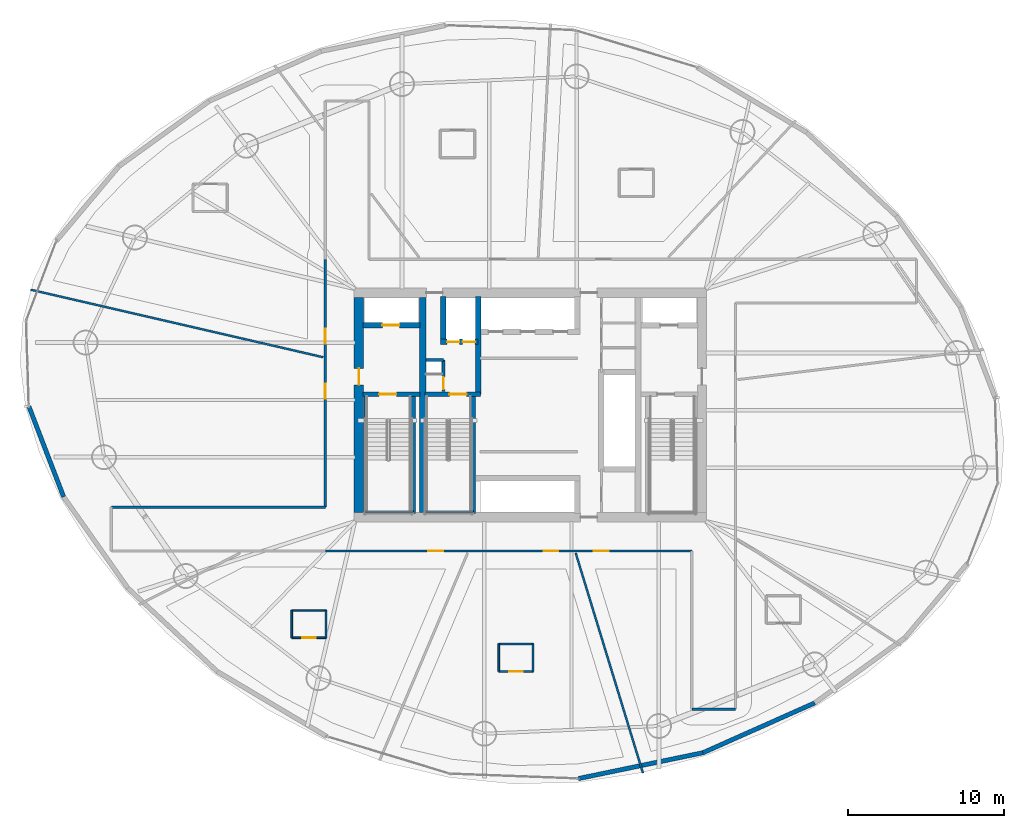
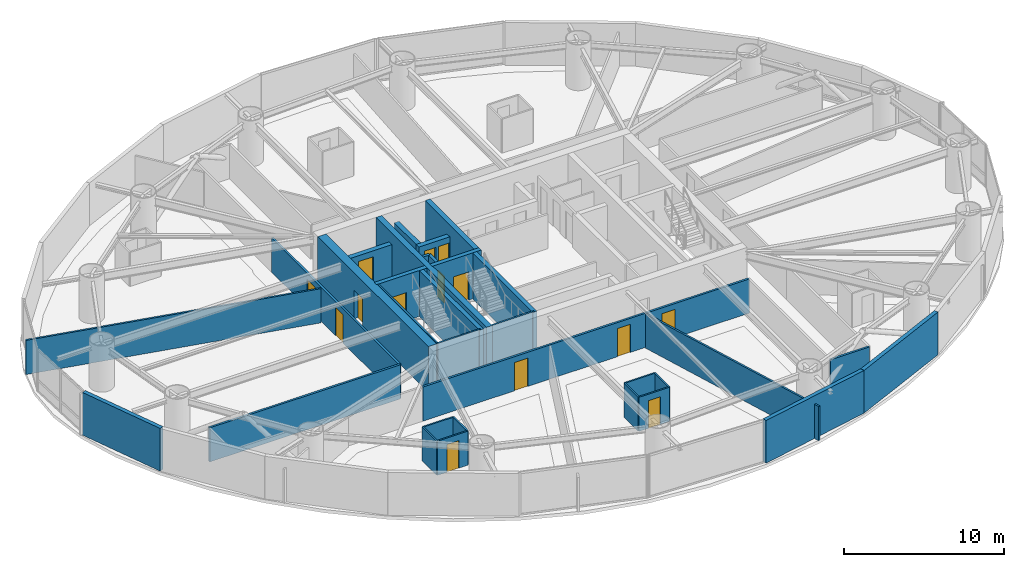
# One storey, part 21 of 27: 32 walls, 14 doors, 14 openings.
"""IFC4 building model written with IfcOpenShell, lengths in metres."""

import ifcopenshell
import ifcopenshell.guid

model = None  # the IFC model being written
_history = None  # IfcOwnerHistory: only IFC2X3 demands one
_inside = {}  # id of a spatial element -> (the spatial element, [elements in it])
_under = {}  # id of a project, library or spatial element -> (it, [spatial elements below it])
_declared = {}  # id of a project -> (the project, [libraries it declares])
_typed = {}  # id of a type object -> (the type object, [elements of that type])
_made_of = {}  # id of a material, layer set ... -> (it, [elements and type objects made of it])


def new_model(schema):
    """Start an empty IFC model of exactly this schema.

    Asked for "IFC4X3", IfcOpenShell would pick the latest addendum, in which some entities
    have other attributes; the version numbers below select the first issue.
    IFC2X3 requires an IfcOwnerHistory on every rooted entity: one is made here for all.
    """
    global model, _history
    if schema == "IFC4X3":
        model = ifcopenshell.file(schema_version=(4, 3, 0, 0))
    else:
        model = ifcopenshell.file(schema=schema)
    _inside.clear()
    _under.clear()
    _declared.clear()
    _typed.clear()
    _made_of.clear()
    _history = None
    if model.schema == "IFC2X3":
        org = make("IfcOrganization", Name="unknown")
        user = make(
            "IfcPersonAndOrganization",
            ThePerson=make("IfcPerson", FamilyName="unknown"),
            TheOrganization=org,
        )
        app = make(
            "IfcApplication",
            ApplicationDeveloper=org,
            Version="unknown",
            ApplicationFullName="unknown",
            ApplicationIdentifier="unknown",
        )
        _history = make(
            "IfcOwnerHistory",
            OwningUser=user,
            OwningApplication=app,
            ChangeAction="ADDED",
            CreationDate=0,
        )
    return model


def make(cls, **values):
    """One entity of the class cls with the attributes given. An attribute that is None is left unset."""
    return model.create_entity(
        cls, **{name: value for name, value in values.items() if value is not None}
    )


def rooted(cls, **values):
    """An entity with a GlobalId (a new one), such as an element, a storey or a relation."""
    return make(cls, GlobalId=ifcopenshell.guid.new(), OwnerHistory=_history, **values)


def si_unit(unit_type, name, prefix=None):
    """IfcSIUnit, for example si_unit("LENGTHUNIT", "METRE", prefix="MILLI")."""
    return make("IfcSIUnit", UnitType=unit_type, Prefix=prefix, Name=name)


def assignment(units):
    """IfcUnitAssignment: the units of a project."""
    return None if units is None else make("IfcUnitAssignment", Units=units)


def point(xyz):
    """IfcCartesianPoint."""
    return None if xyz is None else make("IfcCartesianPoint", Coordinates=xyz)


def direction(xyz):
    """IfcDirection."""
    return None if xyz is None else make("IfcDirection", DirectionRatios=xyz)


def frame(location, z_axis=None, x_axis=None):
    """IfcAxis2Placement3D, a coordinate frame: its origin and axes. An axis left out is left unset."""
    return make(
        "IfcAxis2Placement3D",
        Location=point(location),
        Axis=direction(z_axis),
        RefDirection=direction(x_axis),
    )


def frame_2d(location, x_axis=None):
    """IfcAxis2Placement2D, a coordinate frame in the plane: its origin and x axis."""
    return make(
        "IfcAxis2Placement2D", Location=point(location), RefDirection=direction(x_axis)
    )


def origin():
    """The frame at (0, 0, 0) with its axes left unset."""
    return frame((0.0, 0.0, 0.0))


def place(relative_to, where):
    """IfcLocalPlacement: puts the frame where relative to a parent placement (None: the world)."""
    return make(
        "IfcLocalPlacement", PlacementRelTo=relative_to, RelativePlacement=where
    )


def context(
    kind, dimensions, precision=None, world=None, true_north=None, identifier=None
):
    """IfcGeometricRepresentationContext, for example the 3D "Model" context."""
    return make(
        "IfcGeometricRepresentationContext",
        ContextIdentifier=identifier,
        ContextType=kind,
        CoordinateSpaceDimension=dimensions,
        Precision=precision,
        WorldCoordinateSystem=world,
        TrueNorth=true_north,
    )


def subcontext(parent, identifier, kind, view, scale=None):
    """IfcGeometricRepresentationSubContext, for example "Body" below "Model"."""
    return make(
        "IfcGeometricRepresentationSubContext",
        ContextIdentifier=identifier,
        ContextType=kind,
        ParentContext=parent,
        TargetScale=scale,
        TargetView=view,
    )


def project(units=None, contexts=None):
    """IfcProject with its units and contexts."""
    return rooted(
        "IfcProject",
        Name="project",
        RepresentationContexts=contexts,
        UnitsInContext=assignment(units),
    )


def spatial(cls, under=None, at=None, **own):
    """A site, building, storey or space (cls), placed at a placement, below another one or the project."""
    s = rooted(cls, ObjectPlacement=at, **own)
    if under is not None:
        _under.setdefault(under.id(), (under, []))[1].append(s)
    return s


def profile(cls, at=None, kind="AREA", **sizes):
    """A parametric profile (cls). Its sizes go by their IFC names, for example OverallWidth=200.0."""
    return make(cls, ProfileType=kind, Position=at, **sizes)


def rectangle(**sizes):
    """IfcRectangleProfileDef."""
    return profile("IfcRectangleProfileDef", **sizes)


def extrude(swept, where, along, depth):
    """IfcExtrudedAreaSolid: the profile swept, set in the frame where, extruded along a direction by depth."""
    return make(
        "IfcExtrudedAreaSolid",
        SweptArea=swept,
        Position=where,
        ExtrudedDirection=direction(along),
        Depth=depth,
    )


def shape(context_of_items, identifier, shape_type, items):
    """IfcShapeRepresentation: the items that make up one representation, for example the "Body"."""
    return make(
        "IfcShapeRepresentation",
        ContextOfItems=context_of_items,
        RepresentationIdentifier=identifier,
        RepresentationType=shape_type,
        Items=items,
    )


def material(Name=None, Category=None):
    """IfcMaterial."""
    return make("IfcMaterial", Name=Name, Category=Category)


def layer(
    of_material, thickness, ventilated=None, Name=None, Category=None, Priority=None
):
    """IfcMaterialLayer: one layer of a wall or slab, of a material (None: an air gap)."""
    return make(
        "IfcMaterialLayer",
        Material=of_material,
        LayerThickness=thickness,
        IsVentilated=ventilated,
        Name=Name,
        Category=Category,
        Priority=Priority,
    )


def layer_set(layers, Name=None):
    """IfcMaterialLayerSet."""
    return make("IfcMaterialLayerSet", MaterialLayers=layers, LayerSetName=Name)


def made_of(thing, what):
    """Note that an element or type object is made of a material, layer set ...; save() writes the relation."""
    if what is not None:
        _made_of.setdefault(what.id(), (what, []))[1].append(thing)
    return thing


def type_object(cls, material=None, **own):
    """A type object (cls), such as IfcWallType, which elements share."""
    return made_of(rooted(cls, **own), material)


def element(
    cls,
    number,
    at=None,
    inside=None,
    cuts=None,
    type_object=None,
    material=None,
    context=None,
    identifier="Body",
    shape_type=None,
    held_by="IfcProductDefinitionShape",
    body=None,
    shapes=None,
    **own,
):
    """One element of the class cls, such as IfcWall. Its Tag is "e" and its number.

    at: its placement. inside: the storey or other place that contains it. cuts: it is an
    opening in that element (IfcRelVoidsElement). A single representation is given by context,
    identifier, shape_type and body (its items); several are given by shapes. held_by: the class
    of the entity that holds the representations. save() writes the other relations.
    """
    e = rooted(cls, Tag="e%d" % number, ObjectPlacement=at, **own)
    if body is not None:
        shapes = [shape(context, identifier, shape_type, body)]
    if shapes is not None:
        e.Representation = make(held_by, Representations=shapes)
    if inside is not None:
        _inside.setdefault(inside.id(), (inside, []))[1].append(e)
    if cuts is not None:
        rooted(
            "IfcRelVoidsElement", RelatingBuildingElement=cuts, RelatedOpeningElement=e
        )
    if type_object is not None:
        _typed.setdefault(type_object.id(), (type_object, []))[1].append(e)
    return made_of(e, material)


def fill(opening, filler):
    """IfcRelFillsElement: the door or window that sits in an opening."""
    return rooted(
        "IfcRelFillsElement",
        RelatingOpeningElement=opening,
        RelatedBuildingElement=filler,
    )


def aggregate(whole, parts):
    """IfcRelAggregates: a whole, such as a stair, and the parts it consists of."""
    return rooted("IfcRelAggregates", RelatingObject=whole, RelatedObjects=parts)


def save(model, path):
    """Write the relations noted so far, then the file.

    IfcRelAggregates (storeys below a building ...), IfcRelContainedInSpatialStructure (elements
    in a storey), IfcRelDefinesByType, IfcRelAssociatesMaterial and IfcRelDeclares: one each for
    every whole, place, type object, material and project.
    """
    for whole, parts in _under.values():
        aggregate(whole, parts)
    for where, things in _inside.values():
        rooted(
            "IfcRelContainedInSpatialStructure",
            RelatedElements=things,
            RelatingStructure=where,
        )
    for kind, things in _typed.values():
        rooted("IfcRelDefinesByType", RelatedObjects=things, RelatingType=kind)
    for what, things in _made_of.values():
        rooted("IfcRelAssociatesMaterial", RelatedObjects=things, RelatingMaterial=what)
    for by, libraries in _declared.values():
        rooted("IfcRelDeclares", RelatingContext=by, RelatedDefinitions=libraries)
    model.write(path)


model = new_model("IFC4")

# Units and contexts
model_context = context("Model", 3, precision=1e-05, world=origin(), true_north=direction((0.0, 1.0)))
body_context = subcontext(model_context, "Body", "Model", "MODEL_VIEW")
ifc_project = project(units=[si_unit("LENGTHUNIT", "METRE"), si_unit("AREAUNIT", "SQUARE_METRE"), si_unit("VOLUMEUNIT", "CUBIC_METRE"), si_unit("PLANEANGLEUNIT", "RADIAN"), si_unit("MASSUNIT", "GRAM", prefix="KILO")], contexts=[model_context])

# Site, building, storey
site_placement = place(None, origin())
site = spatial("IfcSite", under=ifc_project, at=site_placement, CompositionType="ELEMENT")
building_placement = place(site_placement, origin())
building = spatial("IfcBuilding", under=site, at=building_placement, Name="Bramvorn Convention Spire", CompositionType="ELEMENT")
storey_placement = place(building_placement, frame((0.0, 0.0, 72.89990234375)))
storey = spatial("IfcBuildingStorey", under=building, at=storey_placement, Name="L16", CompositionType="ELEMENT", Elevation=72.89990234375)

# Wall, opening, door
ifc_material_1 = material(Name="Concrete C60/70", Category="concrete")
ifc_layer_1 = layer(ifc_material_1, 0.60009765625)
ifc_layer_set_1 = layer_set([ifc_layer_1], Name="Concrete C60/70 - WL-CORE-600")
wall_type_1 = type_object("IfcWallType", Name="WL-CORE-600", PredefinedType="SHEAR", material=ifc_layer_set_1)
wall_1_placement = place(storey_placement, frame((27.0, 19.10009765625, 0.0), z_axis=(0.0, 0.0, 1.0), x_axis=(0.0, 1.0, 0.0)))
wall_1 = element("IfcWall", 1, at=wall_1_placement, inside=storey, type_object=wall_type_1, Name="L16 West RC core shear wall", PredefinedType="SHEAR", context=body_context, shape_type="SweptSolid", body=[
    extrude(rectangle(XDim=13.7998046875, YDim=0.60009765625, at=frame_2d((6.89990234375, 0.0))), origin(), (0.0, 0.0, 1.0), 3.5),
])
opening_1_placement = place(wall_1_placement, frame((8.199951171875, 0.0, 0.0)))
opening_1 = element("IfcOpeningElement", 2, at=opening_1_placement, cuts=wall_1, Name="Opening DL-105", PredefinedType="OPENING", context=body_context, shape_type="SweptSolid", body=[
    extrude(rectangle(XDim=1.050048828125, YDim=2.14990234375, at=frame_2d((0.52490234375, 1.074951171875))), frame((0.0, 0.31005859375, 0.0), z_axis=(0.0, -1.0, 0.0), x_axis=(1.0, 0.0, 0.0)), (0.0, 0.0, 1.0), 0.6201171875),
])
ifc_material_2 = material(Name="Smoke-Sealed Fire Lobby Timber-Core Door", Category="wood")
door_type_1 = type_object("IfcDoorType", Name="DR-LOBBY-1050", OperationType="NOTDEFINED", PredefinedType="DOOR", material=ifc_material_2)
door_1_placement = place(opening_1_placement, origin())
door_1 = element("IfcDoor", 3, at=door_1_placement, inside=storey, type_object=door_type_1, Name="L16 West Firefighting Lobby corridor door", OperationType="SINGLE_SWING_RIGHT", OverallHeight=2.14990234375, OverallWidth=1.050048828125, PredefinedType="DOOR", context=body_context, shape_type="SweptSolid", body=[
    extrude(rectangle(XDim=1.050048828125, YDim=2.14990234375, at=frame_2d((0.52490234375, 1.074951171875))), frame((0.0, 0.02490234375, 0.0), z_axis=(0.0, -1.0, 0.0), x_axis=(1.0, 0.0, 0.0)), (0.0, 0.0, 1.0), 0.050048828125),
])
fill(opening_1, door_1)

ifc_material_3 = material(Name="Concrete C50/60", Category="concrete")
ifc_layer_2 = layer(ifc_material_3, 0.35009765625)
ifc_layer_set_2 = layer_set([ifc_layer_2], Name="Concrete C50/60 - WL-CORE-INT-350")
wall_type_2 = type_object("IfcWallType", Name="WL-CORE-INT-350", PredefinedType="SHEAR", material=ifc_layer_set_2)
wall_2_placement = place(storey_placement, frame((27.25, 31.1201171875, 0.0), z_axis=(0.0, 0.0, 1.0), x_axis=(1.0, 0.0, 0.0)))
wall_2 = element("IfcWall", 4, at=wall_2_placement, inside=storey, type_object=wall_type_2, Name="L16 FE1 shaft front wall", PredefinedType="SHEAR", context=body_context, shape_type="SweptSolid", body=[
    extrude(rectangle(XDim=3.669921875, YDim=0.35009765625, at=frame_2d((1.8349609375, 0.0))), origin(), (0.0, 0.0, 1.0), 2.60009765625),
])
opening_2_placement = place(wall_2_placement, frame((1.25, 0.0, 0.0)))
opening_2 = element("IfcOpeningElement", 5, at=opening_2_placement, cuts=wall_2, Name="Opening LD-110", PredefinedType="OPENING", context=body_context, shape_type="SweptSolid", body=[
    extrude(rectangle(XDim=1.10009765625, YDim=2.14990234375, at=frame_2d((0.550048828125, 1.074951171875))), frame((0.0, 0.18505859375, 0.0), z_axis=(0.0, -1.0, 0.0), x_axis=(1.0, 0.0, 0.0)), (0.0, 0.0, 1.0), 0.3701171875),
])
ifc_material_4 = material(Name="Firefighting & Service Lift Sliding Landing Door", Category="steel")
door_type_2 = type_object("IfcDoorType", Name="DR-LIFT-LD-1100", OperationType="NOTDEFINED", PredefinedType="DOOR", material=ifc_material_4)
door_2_placement = place(opening_2_placement, origin())
door_2 = element("IfcDoor", 6, at=door_2_placement, inside=storey, type_object=door_type_2, Name="L16 Lift FE1 Sliding Landing Door", OperationType="SLIDING_TO_LEFT", OverallHeight=2.14990234375, OverallWidth=1.10009765625, PredefinedType="DOOR", context=body_context, shape_type="SweptSolid", body=[
    extrude(rectangle(XDim=1.10009765625, YDim=2.14990234375, at=frame_2d((0.550048828125, 1.074951171875))), frame((0.0, 0.02490234375, 0.0), z_axis=(0.0, -1.0, 0.0), x_axis=(1.0, 0.0, 0.0)), (0.0, 0.0, 1.0), 0.050048828125),
])
fill(opening_2, door_2)

# Wall
wall_3_placement = place(storey_placement, frame((34.639892578125, 26.68994140625, 0.0), z_axis=(0.0, 0.0, 1.0), x_axis=(0.0, 1.0, 0.0)))
element("IfcWall", 7, at=wall_3_placement, inside=storey, type_object=wall_type_2, Name="L16 SV east core shaft wall", PredefinedType="SHEAR", context=body_context, shape_type="SweptSolid", body=[
    extrude(rectangle(XDim=6.260009765625, YDim=0.35009765625, at=frame_2d((3.1298828125, 0.0))), origin(), (0.0, 0.0, 1.0), 3.5),
])

# Wall, openings, doors
wall_4_placement = place(storey_placement, frame((32.22998046875, 30.050048828125, 0.0), z_axis=(0.0, 0.0, 1.0), x_axis=(1.0, 0.0, 0.0)))
wall_4 = element("IfcWall", 8, at=wall_4_placement, inside=storey, type_object=wall_type_2, Name="L16 SV1/SV2 shaft front wall", PredefinedType="SHEAR", context=body_context, shape_type="SweptSolid", body=[
    extrude(rectangle(XDim=2.409912109375, YDim=0.35009765625, at=frame_2d((1.205078125, 0.0))), origin(), (0.0, 0.0, 1.0), 2.60009765625),
])
opening_3_placement = place(wall_4_placement, frame((0.419921875, 0.0, 0.0)))
opening_3 = element("IfcOpeningElement", 9, at=opening_3_placement, cuts=wall_4, Name="Opening LD-080", PredefinedType="OPENING", context=body_context, shape_type="SweptSolid", body=[
    extrude(rectangle(XDim=0.800048828125, YDim=2.14990234375, at=frame_2d((0.39990234375, 1.074951171875))), frame((0.0, 0.18505859375, 0.0), z_axis=(0.0, -1.0, 0.0), x_axis=(1.0, 0.0, 0.0)), (0.0, 0.0, 1.0), 0.3701171875),
])
opening_4_placement = place(wall_4_placement, frame((1.419921875, 0.0, 0.0)))
opening_4 = element("IfcOpeningElement", 10, at=opening_4_placement, cuts=wall_4, Name="Opening LD-080", PredefinedType="OPENING", context=body_context, shape_type="SweptSolid", body=[
    extrude(rectangle(XDim=0.800048828125, YDim=2.14990234375, at=frame_2d((0.39990234375, 1.074951171875))), frame((0.0, 0.18505859375, 0.0), z_axis=(0.0, -1.0, 0.0), x_axis=(1.0, 0.0, 0.0)), (0.0, 0.0, 1.0), 0.3701171875),
])
ifc_material_5 = material(Name="Service Lift Bi-Parting Landing Door", Category="steel")
door_type_3 = type_object("IfcDoorType", Name="DR-LIFT-LD-800", OperationType="NOTDEFINED", PredefinedType="DOOR", material=ifc_material_5)
door_3_placement = place(opening_3_placement, origin())
door_3 = element("IfcDoor", 11, at=door_3_placement, inside=storey, type_object=door_type_3, Name="L16 Lift SV1 Sliding Landing Door", OperationType="SLIDING_TO_LEFT", OverallHeight=2.14990234375, OverallWidth=0.800048828125, PredefinedType="DOOR", context=body_context, shape_type="SweptSolid", body=[
    extrude(rectangle(XDim=0.800048828125, YDim=2.14990234375, at=frame_2d((0.39990234375, 1.074951171875))), frame((0.0, 0.02490234375, 0.0), z_axis=(0.0, -1.0, 0.0), x_axis=(1.0, 0.0, 0.0)), (0.0, 0.0, 1.0), 0.050048828125),
])
fill(opening_3, door_3)
door_4_placement = place(opening_4_placement, origin())
door_4 = element("IfcDoor", 12, at=door_4_placement, inside=storey, type_object=door_type_3, Name="L16 Lift SV2 Sliding Landing Door", OperationType="SLIDING_TO_LEFT", OverallHeight=2.14990234375, OverallWidth=0.800048828125, PredefinedType="DOOR", context=body_context, shape_type="SweptSolid", body=[
    extrude(rectangle(XDim=0.800048828125, YDim=2.14990234375, at=frame_2d((0.39990234375, 1.074951171875))), frame((0.0, 0.02490234375, 0.0), z_axis=(0.0, -1.0, 0.0), x_axis=(1.0, 0.0, 0.0)), (0.0, 0.0, 1.0), 0.050048828125),
])
fill(opening_4, door_4)

# Walls
wall_5_placement = place(storey_placement, frame((32.39990234375, 30.219970703125, 0.0), z_axis=(0.0, 0.0, 1.0), x_axis=(0.0, 1.0, 0.0)))
element("IfcWall", 13, at=wall_5_placement, inside=storey, type_object=wall_type_2, Name="L16 SV1 west hoistway wall", PredefinedType="SHEAR", context=body_context, shape_type="SweptSolid", body=[
    extrude(rectangle(XDim=2.72998046875, YDim=0.35009765625, at=frame_2d((1.364990234375, 0.0))), origin(), (0.0, 0.0, 1.0), 2.60009765625),
])
ifc_layer_3 = layer(ifc_material_1, 0.39990234375)
ifc_layer_set_3 = layer_set([ifc_layer_3], Name="Concrete C60/70 - WL-CORE-INT-400")
wall_type_3 = type_object("IfcWallType", Name="WL-CORE-INT-400", PredefinedType="SHEAR", material=ifc_layer_set_3)
wall_6_placement = place(storey_placement, frame((31.10009765625, 19.10009765625, 0.0), z_axis=(0.0, 0.0, 1.0), x_axis=(0.0, 1.0, 0.0)))
element("IfcWall", 14, at=wall_6_placement, inside=storey, type_object=wall_type_3, Name="L16 West internal core shear web", PredefinedType="SHEAR", context=body_context, shape_type="SweptSolid", body=[
    extrude(rectangle(XDim=13.7998046875, YDim=0.39990234375, at=frame_2d((6.89990234375, 0.0))), origin(), (0.0, 0.0, 1.0), 3.5),
])
ifc_material_6 = material(Name="Precast Concrete C40/50 with Bronze Terracotta Rainscreen", Category="masonry")
ifc_layer_4 = layer(ifc_material_6, 0.300048828125)
ifc_layer_set_4 = layer_set([ifc_layer_4], Name="Precast Concrete C40/50 with Bronze Terracotta Rainscreen - WL-EXT-BRONZE-300")
wall_type_4 = type_object("IfcWallType", Name="WL-EXT-BRONZE-300", PredefinedType="SOLIDWALL", material=ifc_layer_set_4)
wall_7_placement = place(storey_placement, frame((8.0693359375, 20.116943359375, 0.0), z_axis=(0.0, 0.0, 1.0), x_axis=(-0.358705168574, 0.933450910353, 0.0)))
element("IfcWall", 15, at=wall_7_placement, inside=storey, type_object=wall_type_4, Name="L16 expressed bronze Gothic lancet pier wall 14", PredefinedType="SOLIDWALL", context=body_context, shape_type="SweptSolid", body=[
    extrude(rectangle(XDim=6.2119140625, YDim=0.280029296875, at=frame_2d((3.10595703125, 0.0))), origin(), (0.0, 0.0, 1.0), 3.25),
])
wall_8_placement = place(storey_placement, frame((49.06298828125, 3.71142578125, 0.0), z_axis=(0.0, 0.0, 1.0), x_axis=(-0.979128564845, -0.203241859626, 0.0)))
element("IfcWall", 16, at=wall_8_placement, inside=storey, type_object=wall_type_4, Name="L16 expressed bronze Gothic lancet pier wall 20", PredefinedType="SOLIDWALL", context=body_context, shape_type="SweptSolid", body=[
    extrude(rectangle(XDim=8.1708984375, YDim=0.280029296875, at=frame_2d((4.08544921875, 0.0))), origin(), (0.0, 0.0, 1.0), 3.25),
])
wall_9_placement = place(storey_placement, frame((56.228759765625, 6.904541015625, 0.0), z_axis=(0.0, 0.0, 1.0), x_axis=(-0.913417139833, -0.407024727331, 0.0)))
element("IfcWall", 17, at=wall_9_placement, inside=storey, type_object=wall_type_4, Name="L16 expressed bronze Gothic lancet pier wall 21", PredefinedType="SOLIDWALL", context=body_context, shape_type="SweptSolid", body=[
    extrude(rectangle(XDim=7.844970703125, YDim=0.280029296875, at=frame_2d((3.92236328125, 0.0))), origin(), (0.0, 0.0, 1.0), 3.25),
])

# Wall, opening, door
ifc_material_7 = material(Name="Lightweight En-Suite & Wet-Wall Partition", Category="gypsum")
ifc_layer_5 = layer(ifc_material_7, 0.110107421875)
ifc_layer_set_5 = layer_set([ifc_layer_5], Name="Lightweight En-Suite & Wet-Wall Partition - WL-PART-110")
wall_type_5 = type_object("IfcWallType", Name="WL-PART-110", PredefinedType="PARTITIONING", material=ifc_layer_set_5)
wall_10_placement = place(storey_placement, frame((22.693359375, 11.078857421875, 0.0), z_axis=(0.0, 0.0, 1.0), x_axis=(1.0, 0.0, 0.0)))
wall_10 = element("IfcWall", 18, at=wall_10_placement, inside=storey, type_object=wall_type_5, Name="Hotel Suite 1606 en-suite south wall", PredefinedType="PARTITIONING", context=body_context, shape_type="SweptSolid", body=[
    extrude(rectangle(XDim=2.199951171875, YDim=0.110107421875, at=frame_2d((1.10009765625, 0.0))), origin(), (0.0, 0.0, 1.0), 2.60009765625),
])
opening_5_placement = place(wall_10_placement, frame((0.679931640625, 0.0, 0.0)))
opening_5 = element("IfcOpeningElement", 19, at=opening_5_placement, cuts=wall_10, Name="Opening DI-085", PredefinedType="OPENING", context=body_context, shape_type="SweptSolid", body=[
    extrude(rectangle(XDim=0.85009765625, YDim=2.10009765625, at=frame_2d((0.425048828125, 1.050048828125))), frame((0.0, 0.06494140625, 0.0), z_axis=(0.0, -1.0, 0.0), x_axis=(1.0, 0.0, 0.0)), (0.0, 0.0, 1.0), 0.130126953125),
])
ifc_material_8 = material(Name="En-Suite & Restroom Privacy Door", Category="wood")
door_type_4 = type_object("IfcDoorType", Name="DR-INT-850", OperationType="NOTDEFINED", PredefinedType="DOOR", material=ifc_material_8)
door_5_placement = place(opening_5_placement, origin())
door_5 = element("IfcDoor", 20, at=door_5_placement, inside=storey, type_object=door_type_4, Name="Hotel Suite 1606 En-Suite Bathroom door", OperationType="SINGLE_SWING_LEFT", OverallHeight=2.10009765625, OverallWidth=0.85009765625, PredefinedType="DOOR", context=body_context, shape_type="SweptSolid", body=[
    extrude(rectangle(XDim=0.85009765625, YDim=2.10009765625, at=frame_2d((0.425048828125, 1.050048828125))), frame((0.0, 0.02490234375, 0.0), z_axis=(0.0, -1.0, 0.0), x_axis=(1.0, 0.0, 0.0)), (0.0, 0.0, 1.0), 0.050048828125),
])
fill(opening_5, door_5)

# Walls
wall_11_placement = place(storey_placement, frame((22.693359375, 12.8388671875, 0.0), z_axis=(0.0, 0.0, 1.0), x_axis=(1.0, 0.0, 0.0)))
element("IfcWall", 21, at=wall_11_placement, inside=storey, type_object=wall_type_5, Name="Hotel Suite 1606 en-suite north wall", PredefinedType="PARTITIONING", context=body_context, shape_type="SweptSolid", body=[
    extrude(rectangle(XDim=2.199951171875, YDim=0.110107421875, at=frame_2d((1.10009765625, 0.0))), origin(), (0.0, 0.0, 1.0), 2.60009765625),
])
for number, where, z_axis, x_axis, name in (
    (22, (22.693359375, 11.078857421875, 0.0), (0.0, 0.0, 1.0), (0.0, 1.0, 0.0), "Hotel Suite 1606 en-suite west wall"),
    (23, (24.893310546875, 11.078857421875, 0.0), (0.0, 0.0, 1.0), (0.0, 1.0, 0.0), "Hotel Suite 1606 en-suite east wall"),
):
    element("IfcWall", number, at=place(storey_placement, frame(where, z_axis=z_axis, x_axis=x_axis)), inside=storey, type_object=wall_type_5, Name=name, PredefinedType="PARTITIONING", context=body_context, shape_type="SweptSolid", body=[
        extrude(rectangle(XDim=1.760009765625, YDim=0.110107421875, at=frame_2d((0.8798828125, 0.0))), origin(), (0.0, 0.0, 1.0), 2.60009765625),
    ])

# Wall, opening, door
wall_12_placement = place(storey_placement, frame((35.962890625, 8.9248046875, 0.0), z_axis=(0.0, 0.0, 1.0), x_axis=(1.0, 0.0, 0.0)))
wall_12 = element("IfcWall", 24, at=wall_12_placement, inside=storey, type_object=wall_type_5, Name="Hotel Suite 1607 en-suite south wall", PredefinedType="PARTITIONING", context=body_context, shape_type="SweptSolid", body=[
    extrude(rectangle(XDim=2.199951171875, YDim=0.110107421875, at=frame_2d((1.10009765625, 0.0))), origin(), (0.0, 0.0, 1.0), 2.60009765625),
])
opening_6_placement = place(wall_12_placement, frame((0.679931640625, 0.0, 0.0)))
opening_6 = element("IfcOpeningElement", 25, at=opening_6_placement, cuts=wall_12, Name="Opening DI-085", PredefinedType="OPENING", context=body_context, shape_type="SweptSolid", body=[
    extrude(rectangle(XDim=0.85009765625, YDim=2.10009765625, at=frame_2d((0.425048828125, 1.050048828125))), frame((0.0, 0.06494140625, 0.0), z_axis=(0.0, -1.0, 0.0), x_axis=(1.0, 0.0, 0.0)), (0.0, 0.0, 1.0), 0.130126953125),
])
door_6_placement = place(opening_6_placement, origin())
door_6 = element("IfcDoor", 26, at=door_6_placement, inside=storey, type_object=door_type_4, Name="Hotel Suite 1607 En-Suite Bathroom door", OperationType="SINGLE_SWING_LEFT", OverallHeight=2.10009765625, OverallWidth=0.85009765625, PredefinedType="DOOR", context=body_context, shape_type="SweptSolid", body=[
    extrude(rectangle(XDim=0.85009765625, YDim=2.10009765625, at=frame_2d((0.425048828125, 1.050048828125))), frame((0.0, 0.02490234375, 0.0), z_axis=(0.0, -1.0, 0.0), x_axis=(1.0, 0.0, 0.0)), (0.0, 0.0, 1.0), 0.050048828125),
])
fill(opening_6, door_6)

# Walls
wall_13_placement = place(storey_placement, frame((35.962890625, 10.684814453125, 0.0), z_axis=(0.0, 0.0, 1.0), x_axis=(1.0, 0.0, 0.0)))
element("IfcWall", 27, at=wall_13_placement, inside=storey, type_object=wall_type_5, Name="Hotel Suite 1607 en-suite north wall", PredefinedType="PARTITIONING", context=body_context, shape_type="SweptSolid", body=[
    extrude(rectangle(XDim=2.199951171875, YDim=0.110107421875, at=frame_2d((1.10009765625, 0.0))), origin(), (0.0, 0.0, 1.0), 2.60009765625),
])
for number, where, z_axis, x_axis, name in (
    (28, (35.962890625, 8.9248046875, 0.0), (0.0, 0.0, 1.0), (0.0, 1.0, 0.0), "Hotel Suite 1607 en-suite west wall"),
    (29, (38.162841796875, 8.9248046875, 0.0), (0.0, 0.0, 1.0), (0.0, 1.0, 0.0), "Hotel Suite 1607 en-suite east wall"),
):
    element("IfcWall", number, at=place(storey_placement, frame(where, z_axis=z_axis, x_axis=x_axis)), inside=storey, type_object=wall_type_5, Name=name, PredefinedType="PARTITIONING", context=body_context, shape_type="SweptSolid", body=[
        extrude(rectangle(XDim=1.760009765625, YDim=0.110107421875, at=frame_2d((0.8798828125, 0.0))), origin(), (0.0, 0.0, 1.0), 2.60009765625),
    ])
ifc_material_9 = material(Name="Metal-Stud Demountable Office Partition", Category="gypsum")
ifc_layer_6 = layer(ifc_material_9, 0.1298828125)
ifc_layer_set_6 = layer_set([ifc_layer_6], Name="Metal-Stud Demountable Office Partition - WL-PART-130")
wall_type_6 = type_object("IfcWallType", Name="WL-PART-130", PredefinedType="PARTITIONING", material=ifc_layer_set_6)
wall_14_placement = place(storey_placement, frame((24.7099609375, 29.068115234375, 0.0), z_axis=(0.0, 0.0, 1.0), x_axis=(-0.974370245076, 0.224950273417, 0.0)))
element("IfcWall", 30, at=wall_14_placement, inside=storey, type_object=wall_type_6, Name="L16 Guestroom demising wall 5", PredefinedType="PARTITIONING", context=body_context, shape_type="SweptSolid", body=[
    extrude(rectangle(XDim=19.251220703125, YDim=0.1298828125, at=frame_2d((9.62548828125, 0.0))), origin(), (0.0, 0.0, 1.0), 2.60009765625),
])
wall_15_placement = place(storey_placement, frame((40.9013671875, 16.510009765625, 0.0), z_axis=(0.0, 0.0, 1.0), x_axis=(0.292367012645, -0.956306190463, 0.0)))
element("IfcWall", 31, at=wall_15_placement, inside=storey, type_object=wall_type_6, Name="L16 Guestroom demising wall 8", PredefinedType="PARTITIONING", context=body_context, shape_type="SweptSolid", body=[
    extrude(rectangle(XDim=14.74609375, YDim=0.1298828125, at=frame_2d((7.373046875, 0.0))), origin(), (0.0, 0.0, 1.0), 2.60009765625),
])

# Wall, openings, doors
ifc_material_10 = material(Name="Acoustic Metal-Stud Tenant/Corridor Partition", Category="gypsum")
ifc_layer_7 = layer(ifc_material_10, 0.14990234375)
ifc_layer_set_7 = layer_set([ifc_layer_7], Name="Acoustic Metal-Stud Tenant/Corridor Partition - WL-PART-150")
wall_type_7 = type_object("IfcWallType", Name="WL-PART-150", PredefinedType="PARTITIONING", material=ifc_layer_set_7)
wall_16_placement = place(storey_placement, frame((24.85009765625, 16.64990234375, 0.0), z_axis=(0.0, 0.0, 1.0), x_axis=(1.0, 0.0, 0.0)))
wall_16 = element("IfcWall", 32, at=wall_16_placement, inside=storey, type_object=wall_type_7, Name="L16 South ring corridor wall", PredefinedType="PARTITIONING", context=body_context, shape_type="SweptSolid", body=[
    extrude(rectangle(XDim=23.5, YDim=0.14990234375, at=frame_2d((11.75, 0.0))), origin(), (0.0, 0.0, 1.0), 2.60009765625),
])
opening_7_placement = place(wall_16_placement, frame((6.59521484375, 0.0, 0.0)))
opening_7 = element("IfcOpeningElement", 33, at=opening_7_placement, cuts=wall_16, Name="Opening DH-095", PredefinedType="OPENING", context=body_context, shape_type="SweptSolid", body=[
    extrude(rectangle(XDim=0.949951171875, YDim=2.14990234375, at=frame_2d((0.47509765625, 1.074951171875))), frame((0.0, 0.0849609375, 0.0), z_axis=(0.0, -1.0, 0.0), x_axis=(1.0, 0.0, 0.0)), (0.0, 0.0, 1.0), 0.169921875),
])
opening_8_placement = place(wall_16_placement, frame((13.98974609375, 0.0, 0.0)))
opening_8 = element("IfcOpeningElement", 34, at=opening_8_placement, cuts=wall_16, Name="Opening DH-095", PredefinedType="OPENING", context=body_context, shape_type="SweptSolid", body=[
    extrude(rectangle(XDim=0.949951171875, YDim=2.14990234375, at=frame_2d((0.47509765625, 1.074951171875))), frame((0.0, 0.0849609375, 0.0), z_axis=(0.0, -1.0, 0.0), x_axis=(1.0, 0.0, 0.0)), (0.0, 0.0, 1.0), 0.169921875),
])
opening_9_placement = place(wall_16_placement, frame((17.21142578125, 0.0, 0.0)))
opening_9 = element("IfcOpeningElement", 35, at=opening_9_placement, cuts=wall_16, Name="Opening DH-095", PredefinedType="OPENING", context=body_context, shape_type="SweptSolid", body=[
    extrude(rectangle(XDim=0.949951171875, YDim=2.14990234375, at=frame_2d((0.47509765625, 1.074951171875))), frame((0.0, 0.0849609375, 0.0), z_axis=(0.0, -1.0, 0.0), x_axis=(1.0, 0.0, 0.0)), (0.0, 0.0, 1.0), 0.169921875),
])
ifc_material_11 = material(Name="Solid-Core Acoustic Guestroom Entry Door", Category="wood")
door_type_5 = type_object("IfcDoorType", Name="DR-HOTEL-950", OperationType="NOTDEFINED", PredefinedType="DOOR", material=ifc_material_11)
door_7_placement = place(opening_7_placement, origin())
door_7 = element("IfcDoor", 36, at=door_7_placement, inside=storey, type_object=door_type_5, Name="Hotel Suite 1606 entry door", OperationType="SINGLE_SWING_RIGHT", OverallHeight=2.14990234375, OverallWidth=0.949951171875, PredefinedType="DOOR", context=body_context, shape_type="SweptSolid", body=[
    extrude(rectangle(XDim=0.949951171875, YDim=2.14990234375, at=frame_2d((0.47509765625, 1.074951171875))), frame((0.0, 0.02490234375, 0.0), z_axis=(0.0, -1.0, 0.0), x_axis=(1.0, 0.0, 0.0)), (0.0, 0.0, 1.0), 0.050048828125),
])
fill(opening_7, door_7)
door_8_placement = place(opening_8_placement, origin())
door_8 = element("IfcDoor", 37, at=door_8_placement, inside=storey, type_object=door_type_5, Name="Hotel Suite 1607 entry door", OperationType="SINGLE_SWING_LEFT", OverallHeight=2.14990234375, OverallWidth=0.949951171875, PredefinedType="DOOR", context=body_context, shape_type="SweptSolid", body=[
    extrude(rectangle(XDim=0.949951171875, YDim=2.14990234375, at=frame_2d((0.47509765625, 1.074951171875))), frame((0.0, 0.02490234375, 0.0), z_axis=(0.0, -1.0, 0.0), x_axis=(1.0, 0.0, 0.0)), (0.0, 0.0, 1.0), 0.050048828125),
])
fill(opening_8, door_8)
door_9_placement = place(opening_9_placement, origin())
door_9 = element("IfcDoor", 38, at=door_9_placement, inside=storey, type_object=door_type_5, Name="Hotel Suite 1608 entry door", OperationType="SINGLE_SWING_RIGHT", OverallHeight=2.14990234375, OverallWidth=0.949951171875, PredefinedType="DOOR", context=body_context, shape_type="SweptSolid", body=[
    extrude(rectangle(XDim=0.949951171875, YDim=2.14990234375, at=frame_2d((0.47509765625, 1.074951171875))), frame((0.0, 0.02490234375, 0.0), z_axis=(0.0, -1.0, 0.0), x_axis=(1.0, 0.0, 0.0)), (0.0, 0.0, 1.0), 0.050048828125),
])
fill(opening_9, door_9)

wall_17_placement = place(storey_placement, frame((24.85009765625, 19.449951171875, 0.0), z_axis=(0.0, 0.0, 1.0), x_axis=(0.0, 1.0, 0.0)))
wall_17 = element("IfcWall", 39, at=wall_17_placement, inside=storey, type_object=wall_type_7, Name="L16 West ring corridor wall", PredefinedType="PARTITIONING", context=body_context, shape_type="SweptSolid", body=[
    extrude(rectangle(XDim=15.900146484375, YDim=0.14990234375, at=frame_2d((7.9501953125, 0.0))), origin(), (0.0, 0.0, 1.0), 2.60009765625),
])
opening_10_placement = place(wall_17_placement, frame((10.48779296875, 0.0, 0.0)))
opening_10 = element("IfcOpeningElement", 40, at=opening_10_placement, cuts=wall_17, Name="Opening DH-095", PredefinedType="OPENING", context=body_context, shape_type="SweptSolid", body=[
    extrude(rectangle(XDim=0.949951171875, YDim=2.14990234375, at=frame_2d((0.47509765625, 1.074951171875))), frame((0.0, 0.0849609375, 0.0), z_axis=(0.0, -1.0, 0.0), x_axis=(1.0, 0.0, 0.0)), (0.0, 0.0, 1.0), 0.169921875),
])
opening_11_placement = place(wall_17_placement, frame((6.95751953125, 0.0, 0.0)))
opening_11 = element("IfcOpeningElement", 41, at=opening_11_placement, cuts=wall_17, Name="Opening DH-095", PredefinedType="OPENING", context=body_context, shape_type="SweptSolid", body=[
    extrude(rectangle(XDim=0.949951171875, YDim=2.14990234375, at=frame_2d((0.47509765625, 1.074951171875))), frame((0.0, 0.0849609375, 0.0), z_axis=(0.0, -1.0, 0.0), x_axis=(1.0, 0.0, 0.0)), (0.0, 0.0, 1.0), 0.169921875),
])
door_10_placement = place(opening_10_placement, origin())
door_10 = element("IfcDoor", 42, at=door_10_placement, inside=storey, type_object=door_type_5, Name="Hotel Suite 1604 entry door", OperationType="SINGLE_SWING_LEFT", OverallHeight=2.14990234375, OverallWidth=0.949951171875, PredefinedType="DOOR", context=body_context, shape_type="SweptSolid", body=[
    extrude(rectangle(XDim=0.949951171875, YDim=2.14990234375, at=frame_2d((0.47509765625, 1.074951171875))), frame((0.0, 0.02490234375, 0.0), z_axis=(0.0, -1.0, 0.0), x_axis=(1.0, 0.0, 0.0)), (0.0, 0.0, 1.0), 0.050048828125),
])
fill(opening_10, door_10)
door_11_placement = place(opening_11_placement, origin())
door_11 = element("IfcDoor", 43, at=door_11_placement, inside=storey, type_object=door_type_5, Name="L16 Hospitality Salon 5 door", OperationType="SINGLE_SWING_RIGHT", OverallHeight=2.14990234375, OverallWidth=0.949951171875, PredefinedType="DOOR", context=body_context, shape_type="SweptSolid", body=[
    extrude(rectangle(XDim=0.949951171875, YDim=2.14990234375, at=frame_2d((0.47509765625, 1.074951171875))), frame((0.0, 0.02490234375, 0.0), z_axis=(0.0, -1.0, 0.0), x_axis=(1.0, 0.0, 0.0)), (0.0, 0.0, 1.0), 0.050048828125),
])
fill(opening_11, door_11)

# Walls
wall_18_placement = place(storey_placement, frame((11.123779296875, 19.449951171875, 0.0), z_axis=(0.0, 0.0, 1.0), x_axis=(1.0, 0.0, 0.0)))
element("IfcWall", 44, at=wall_18_placement, inside=storey, type_object=wall_type_7, Name="L16 SW pinwheel wing north wall", PredefinedType="PARTITIONING", context=body_context, shape_type="SweptSolid", body=[
    extrude(rectangle(XDim=13.726318359375, YDim=0.14990234375, at=frame_2d((6.86328125, 0.0))), origin(), (0.0, 0.0, 1.0), 2.60009765625),
])
wall_19_placement = place(storey_placement, frame((48.35009765625, 6.5, 0.0), z_axis=(0.0, 0.0, 1.0), x_axis=(1.0, 0.0, 0.0)))
element("IfcWall", 45, at=wall_19_placement, inside=storey, type_object=wall_type_7, Name="L16 SE pinwheel end wall", PredefinedType="PARTITIONING", context=body_context, shape_type="SweptSolid", body=[
    extrude(rectangle(XDim=2.7998046875, YDim=0.14990234375, at=frame_2d((1.39990234375, 0.0))), origin(), (0.0, 0.0, 1.0), 2.60009765625),
])

# Wall, opening, door
ifc_material_12 = material(Name="Gypsum Shaftwall & Rockwool Core Partition", Category="gypsum")
ifc_layer_8 = layer(ifc_material_12, 0.199951171875)
ifc_layer_set_8 = layer_set([ifc_layer_8], Name="Gypsum Shaftwall & Rockwool Core Partition - WL-PART-200-FR")
wall_type_8 = type_object("IfcWallType", Name="WL-PART-200-FR", PredefinedType="PARTITIONING", material=ifc_layer_set_8)
wall_20_placement = place(storey_placement, frame((32.419921875, 26.860107421875, 0.0), z_axis=(0.0, 0.0, 1.0), x_axis=(0.0, 1.0, 0.0)))
wall_20 = element("IfcWall", 46, at=wall_20_placement, inside=storey, type_object=wall_type_8, Name="L16 Telecom riser east wall", PredefinedType="PARTITIONING", context=body_context, shape_type="SweptSolid", body=[
    extrude(rectangle(XDim=2.039794921875, YDim=0.199951171875, at=frame_2d((1.02001953125, 0.0))), origin(), (0.0, 0.0, 1.0), 2.60009765625),
])
opening_12_placement = place(wall_20_placement, frame((0.139892578125, 0.0, 0.0)))
opening_12 = element("IfcOpeningElement", 47, at=opening_12_placement, cuts=wall_20, Name="Opening DR-080", PredefinedType="OPENING", context=body_context, shape_type="SweptSolid", body=[
    extrude(rectangle(XDim=0.800048828125, YDim=2.050048828125, at=frame_2d((0.39990234375, 1.02490234375))), frame((0.0, 0.10986328125, 0.0), z_axis=(0.0, -1.0, 0.0), x_axis=(1.0, 0.0, 0.0)), (0.0, 0.0, 1.0), 0.219970703125),
])
ifc_material_13 = material(Name="Flush Steel Riser Access Door", Category="steel")
door_type_6 = type_object("IfcDoorType", Name="DR-RISER-800", OperationType="NOTDEFINED", PredefinedType="DOOR", material=ifc_material_13)
door_12_placement = place(opening_12_placement, origin())
door_12 = element("IfcDoor", 48, at=door_12_placement, inside=storey, type_object=door_type_6, Name="L16 Telecom riser access door", OperationType="SINGLE_SWING_RIGHT", OverallHeight=2.050048828125, OverallWidth=0.800048828125, PredefinedType="DOOR", context=body_context, shape_type="SweptSolid", body=[
    extrude(rectangle(XDim=0.800048828125, YDim=2.050048828125, at=frame_2d((0.39990234375, 1.02490234375))), frame((0.0, 0.02490234375, 0.0), z_axis=(0.0, -1.0, 0.0), x_axis=(1.0, 0.0, 0.0)), (0.0, 0.0, 1.0), 0.050048828125),
])
fill(opening_12, door_12)

# Wall
wall_21_placement = place(storey_placement, frame((31.300048828125, 28.89990234375, 0.0), z_axis=(0.0, 0.0, 1.0), x_axis=(1.0, 0.0, 0.0)))
element("IfcWall", 49, at=wall_21_placement, inside=storey, type_object=wall_type_8, Name="L16 Telecom riser north wall", PredefinedType="PARTITIONING", context=body_context, shape_type="SweptSolid", body=[
    extrude(rectangle(XDim=1.119873046875, YDim=0.199951171875, at=frame_2d((0.56005859375, 0.0))), origin(), (0.0, 0.0, 1.0), 2.60009765625),
])

# Wall, opening, door
ifc_layer_9 = layer(ifc_material_3, 0.300048828125)
ifc_layer_set_9 = layer_set([ifc_layer_9], Name="Concrete C50/60 - WL-POD-STAIR-300")
wall_type_9 = type_object("IfcWallType", Name="WL-POD-STAIR-300", PredefinedType="SHEAR", material=ifc_layer_set_9)
wall_22_placement = place(storey_placement, frame((27.25, 26.68994140625, 0.0), z_axis=(0.0, 0.0, 1.0), x_axis=(1.0, 0.0, 0.0)))
wall_22 = element("IfcWall", 50, at=wall_22_placement, inside=storey, type_object=wall_type_9, Name="L16 ST1 north fire wall", PredefinedType="SHEAR", context=body_context, shape_type="SweptSolid", body=[
    extrude(rectangle(XDim=3.669921875, YDim=0.300048828125, at=frame_2d((1.8349609375, 0.0))), origin(), (0.0, 0.0, 1.0), 3.5),
])
opening_13_placement = place(wall_22_placement, frame((1.050048828125, 0.0, 0.0)))
opening_13 = element("IfcOpeningElement", 51, at=opening_13_placement, cuts=wall_22, Name="Opening DS-110", PredefinedType="OPENING", context=body_context, shape_type="SweptSolid", body=[
    extrude(rectangle(XDim=1.10009765625, YDim=2.14990234375, at=frame_2d((0.550048828125, 1.074951171875))), frame((0.0, 0.159912109375, 0.0), z_axis=(0.0, -1.0, 0.0), x_axis=(1.0, 0.0, 0.0)), (0.0, 0.0, 1.0), 0.320068359375),
])
ifc_material_14 = material(Name="Fire-Rated Hollow Steel Stairwell Door", Category="steel")
door_type_7 = type_object("IfcDoorType", Name="DR-STAIR-1100", OperationType="NOTDEFINED", PredefinedType="DOOR", material=ifc_material_14)
door_13_placement = place(opening_13_placement, origin())
door_13 = element("IfcDoor", 52, at=door_13_placement, inside=storey, type_object=door_type_7, Name="L16 Stair ST1 fire door", OperationType="SINGLE_SWING_LEFT", OverallHeight=2.14990234375, OverallWidth=1.10009765625, PredefinedType="DOOR", context=body_context, shape_type="SweptSolid", body=[
    extrude(rectangle(XDim=1.10009765625, YDim=2.14990234375, at=frame_2d((0.550048828125, 1.074951171875))), frame((0.0, 0.02490234375, 0.0), z_axis=(0.0, -1.0, 0.0), x_axis=(1.0, 0.0, 0.0)), (0.0, 0.0, 1.0), 0.050048828125),
])
fill(opening_13, door_13)

# Walls
for number, where, z_axis, x_axis, name in (
    (53, (30.489990234375, 19.050048828125, 0.0), (0.0, 0.0, 1.0), (0.0, 1.0, 0.0), "L16 ST1 east bearing wall"),
    (54, (34.340087890625, 19.050048828125, 0.0), (0.0, 0.0, 1.0), (0.0, 1.0, 0.0), "L16 ST3 east bearing wall"),
):
    element("IfcWall", number, at=place(storey_placement, frame(where, z_axis=z_axis, x_axis=x_axis)), inside=storey, type_object=wall_type_9, Name=name, PredefinedType="SHEAR", context=body_context, shape_type="SweptSolid", body=[
        extrude(rectangle(XDim=7.5, YDim=0.300048828125, at=frame_2d((3.75, 0.0))), origin(), (0.0, 0.0, 1.0), 3.5),
    ])

# Wall, opening, door
wall_23_placement = place(storey_placement, frame((31.25, 26.68994140625, 0.0), z_axis=(0.0, 0.0, 1.0), x_axis=(1.0, 0.0, 0.0)))
wall_23 = element("IfcWall", 55, at=wall_23_placement, inside=storey, type_object=wall_type_9, Name="L16 ST3 north lobby wall", PredefinedType="SHEAR", context=body_context, shape_type="SweptSolid", body=[
    extrude(rectangle(XDim=3.56005859375, YDim=0.300048828125, at=frame_2d((1.780029296875, 0.0))), origin(), (0.0, 0.0, 1.0), 3.5),
])
opening_14_placement = place(wall_23_placement, frame((1.550048828125, 0.0, 0.0)))
opening_14 = element("IfcOpeningElement", 56, at=opening_14_placement, cuts=wall_23, Name="Opening DS-110", PredefinedType="OPENING", context=body_context, shape_type="SweptSolid", body=[
    extrude(rectangle(XDim=1.10009765625, YDim=2.14990234375, at=frame_2d((0.550048828125, 1.074951171875))), frame((0.0, 0.159912109375, 0.0), z_axis=(0.0, -1.0, 0.0), x_axis=(1.0, 0.0, 0.0)), (0.0, 0.0, 1.0), 0.320068359375),
])
door_14_placement = place(opening_14_placement, origin())
door_14 = element("IfcDoor", 57, at=door_14_placement, inside=storey, type_object=door_type_7, Name="L16 Stair ST3 fire door", OperationType="SINGLE_SWING_LEFT", OverallHeight=2.14990234375, OverallWidth=1.10009765625, PredefinedType="DOOR", context=body_context, shape_type="SweptSolid", body=[
    extrude(rectangle(XDim=1.10009765625, YDim=2.14990234375, at=frame_2d((0.550048828125, 1.074951171875))), frame((0.0, 0.02490234375, 0.0), z_axis=(0.0, -1.0, 0.0), x_axis=(1.0, 0.0, 0.0)), (0.0, 0.0, 1.0), 0.050048828125),
])
fill(opening_14, door_14)

# Walls
ifc_layer_10 = layer(ifc_material_3, 0.1201171875)
ifc_layer_set_10 = layer_set([ifc_layer_10], Name="Concrete C50/60 - WL-STAIR-RC-120")
wall_type_10 = type_object("IfcWallType", Name="WL-STAIR-RC-120", PredefinedType="SHEAR", material=ifc_layer_set_10)
wall_24_placement = place(storey_placement, frame((27.39501953125, 19.10009765625, 0.0), z_axis=(0.0, 0.0, 1.0), x_axis=(0.0, 1.0, 0.0)))
element("IfcWall", 58, at=wall_24_placement, inside=storey, type_object=wall_type_10, Name="L16 ST1 west bearing shear wall", PredefinedType="SHEAR", context=body_context, shape_type="SweptSolid", body=[
    extrude(rectangle(XDim=7.449951171875, YDim=0.1201171875, at=frame_2d((3.72509765625, 0.0))), origin(), (0.0, 0.0, 1.0), 3.5),
])
wall_25_placement = place(storey_placement, frame((27.39501953125, 19.159912109375, 0.0), z_axis=(0.0, 0.0, 1.0), x_axis=(1.0, 0.0, 0.0)))
element("IfcWall", 59, at=wall_25_placement, inside=storey, type_object=wall_type_10, Name="L16 ST1 south bearing shear wall", PredefinedType="SHEAR", context=body_context, shape_type="SweptSolid", body=[
    extrude(rectangle(XDim=3.094970703125, YDim=0.1201171875, at=frame_2d((1.54736328125, 0.0))), origin(), (0.0, 0.0, 1.0), 3.5),
])
wall_26_placement = place(storey_placement, frame((31.300048828125, 19.159912109375, 0.0), z_axis=(0.0, 0.0, 1.0), x_axis=(1.0, 0.0, 0.0)))
element("IfcWall", 60, at=wall_26_placement, inside=storey, type_object=wall_type_10, Name="L16 ST3 south bearing shear wall", PredefinedType="SHEAR", context=body_context, shape_type="SweptSolid", body=[
    extrude(rectangle(XDim=3.0400390625, YDim=0.1201171875, at=frame_2d((1.52001953125, 0.0))), origin(), (0.0, 0.0, 1.0), 3.5),
])

save(model, "model.ifc")
